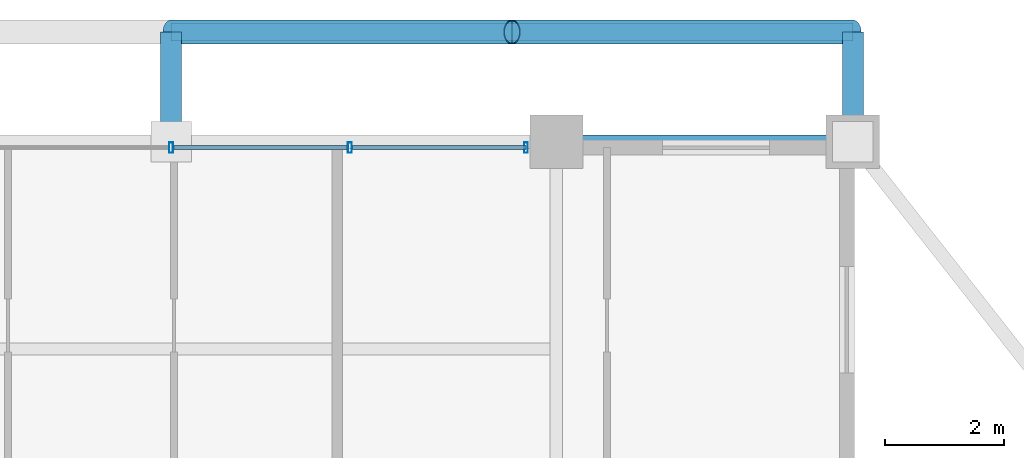
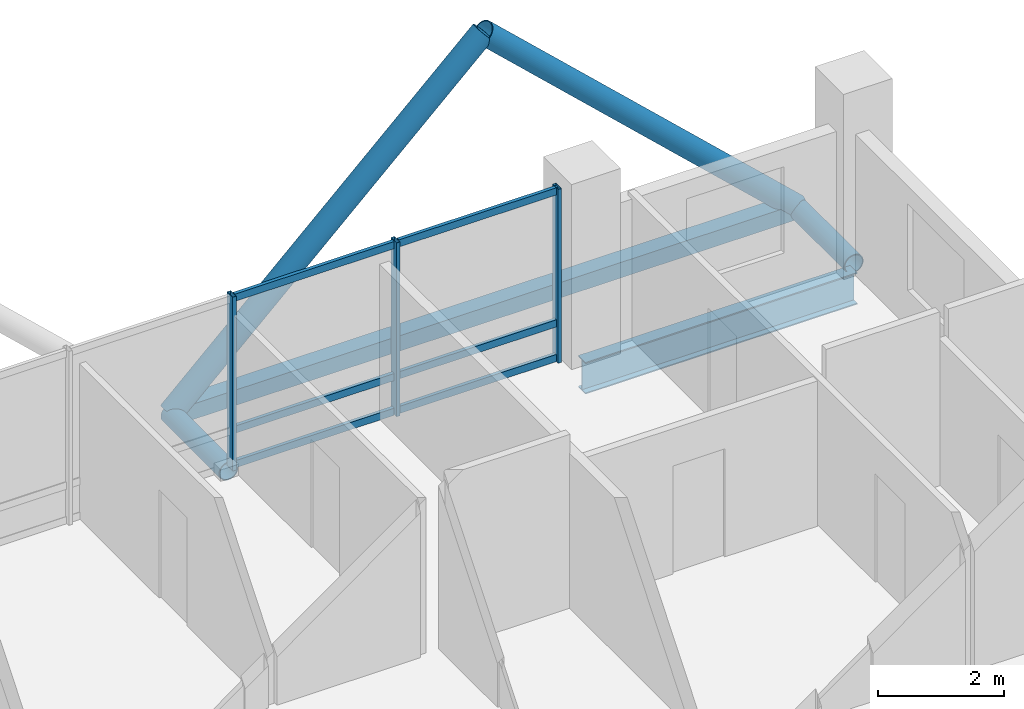
# One storey, part 17 of 24: 14 members, 1 beam, 1 element without a shape of its own.
"""IFC4 building model written with IfcOpenShell, lengths in metres."""

from ifc_helpers import new_model, si_unit, direction, frame, origin, origin_2d, place, context, subcontext, project, spatial, hollow_rectangle, hollow_circle, i_section, extrude, material, layer, layer_set, material_profile, profile_set, type_object, element, aggregate, save


model = new_model("IFC4")

# Units and contexts
model_context = context("Model", 3, precision=1e-05, world=origin(), true_north=direction((0.0, 1.0)))
body_context = subcontext(model_context, "Body", "Model", "MODEL_VIEW")
ifc_project = project(units=[si_unit("LENGTHUNIT", "METRE"), si_unit("AREAUNIT", "SQUARE_METRE"), si_unit("VOLUMEUNIT", "CUBIC_METRE"), si_unit("PLANEANGLEUNIT", "RADIAN"), si_unit("MASSUNIT", "GRAM", prefix="KILO")], contexts=[model_context])

# Site, building, storey
site_placement = place(None, origin())
site = spatial("IfcSite", under=ifc_project, at=site_placement, CompositionType="ELEMENT")
building_placement = place(site_placement, origin())
building = spatial("IfcBuilding", under=site, at=building_placement, Name="Barlavira Tower and Art Museum", CompositionType="ELEMENT")
storey_placement = place(building_placement, frame((0.0, 0.0, 240.300048828125)))
storey = spatial("IfcBuildingStorey", under=building, at=storey_placement, Name="L62", CompositionType="ELEMENT", Elevation=240.300048828125)

# Curtain wall, members
ifc_material_1 = material(Name="Low-iron coastal laminated glass", Category="glass")
ifc_layer = layer(ifc_material_1, 0.2099609375, Name="Low-iron coastal laminated glass")
ifc_layer_set = layer_set([ifc_layer], Name="Low-iron coastal laminated glass")
curtain_wall_type = type_object("IfcCurtainWallType", Name="Pale-Metal Unitised Curtain Wall Zone 4", PredefinedType="NOTDEFINED", material=ifc_layer_set)
curtain_wall_placement = place(storey_placement, origin())
curtain_wall = element("IfcCurtainWall", 1, at=curtain_wall_placement, inside=storey, type_object=curtain_wall_type, Name="L62 Curtain Wall CW4-L62-N-B2", PredefinedType="NOTDEFINED")
ifc_material_2 = material(Name="Pale anodised aluminium", Category="aluminium")
ifc_material_profile_1 = material_profile(ifc_material_2, hollow_rectangle(XDim=0.06494140625, YDim=0.179931640625, WallThickness=0.00390625, at=origin_2d()), Name="ALU-MULL 65x180x4")
ifc_profile_set_1 = profile_set([ifc_material_profile_1], Name="Pale anodised aluminium")
member_type_1 = type_object("IfcMemberType", Name="Curtain Wall Pale-Metal Mullion 65x180", PredefinedType="MULLION", material=ifc_profile_set_1)
member_1_placement = place(storey_placement, frame((5.985107421875, 19.89990234375, 0.0), z_axis=(0.0, 0.0, 1.0), x_axis=(-1.0, 0.0, 0.0)))
member_1 = element("IfcMember", 2, at=member_1_placement, type_object=member_type_1, Name="CW4-L62-N-B2 Mullion 0", PredefinedType="MULLION", context=body_context, shape_type="SweptSolid", body=[
    extrude(hollow_rectangle(XDim=0.06494140625, YDim=0.179931640625, WallThickness=0.00390625, at=origin_2d()), origin(), (0.0, 0.0, 1.0), 3.3798828125),
])
member_2_placement = place(storey_placement, frame((3.014892578125, 19.89990234375, 0.0), z_axis=(0.0, 0.0, 1.0), x_axis=(-1.0, 0.0, 0.0)))
member_2 = element("IfcMember", 3, at=member_2_placement, type_object=member_type_1, Name="CW4-L62-N-B2 Mullion 1", PredefinedType="MULLION", context=body_context, shape_type="SweptSolid", body=[
    extrude(hollow_rectangle(XDim=0.06494140625, YDim=0.179931640625, WallThickness=0.00390625, at=origin_2d()), origin(), (0.0, 0.0, 1.0), 3.3798828125),
])
member_3_placement = place(storey_placement, frame((0.0, 19.89990234375, 0.0), z_axis=(0.0, 0.0, 1.0), x_axis=(-1.0, 0.0, 0.0)))
member_3 = element("IfcMember", 4, at=member_3_placement, type_object=member_type_1, Name="CW4-L62-N-B2 Mullion 2", PredefinedType="MULLION", context=body_context, shape_type="SweptSolid", body=[
    extrude(hollow_rectangle(XDim=0.06494140625, YDim=0.179931640625, WallThickness=0.00390625, at=origin_2d()), origin(), (0.0, 0.0, 1.0), 3.3798828125),
])
ifc_material_profile_2 = material_profile(ifc_material_2, hollow_rectangle(XDim=0.06494140625, YDim=0.139892578125, WallThickness=0.00390625, at=origin_2d()), Name="ALU-TRAN 65x140x4")
ifc_profile_set_2 = profile_set([ifc_material_profile_2], Name="Pale anodised aluminium")
member_type_2 = type_object("IfcMemberType", Name="Curtain Wall Pale-Metal Transom 65x140", PredefinedType="USERDEFINED", material=ifc_profile_set_2)
member_4_placement = place(storey_placement, frame((5.985107421875, 19.89990234375, 0.070068359375), z_axis=(-1.0, 0.0, 0.0), x_axis=(0.0, -1.0, 0.0)))
member_4 = element("IfcMember", 5, at=member_4_placement, type_object=member_type_2, Name="CW4-L62-N-B2 Transom 0.1", ObjectType="TRANSOM", PredefinedType="USERDEFINED", context=body_context, shape_type="SweptSolid", body=[
    extrude(hollow_rectangle(XDim=0.06494140625, YDim=0.139892578125, WallThickness=0.00390625, at=origin_2d()), origin(), (0.0, 0.0, 1.0), 2.925048828125),
])
member_5_placement = place(storey_placement, frame((5.985107421875, 19.89990234375, 0.743896484375), z_axis=(-1.0, 0.0, 0.0), x_axis=(0.0, -1.0, 0.0)))
member_5 = element("IfcMember", 6, at=member_5_placement, type_object=member_type_2, Name="CW4-L62-N-B2 Transom 0.2", ObjectType="TRANSOM", PredefinedType="USERDEFINED", context=body_context, shape_type="SweptSolid", body=[
    extrude(hollow_rectangle(XDim=0.06494140625, YDim=0.139892578125, WallThickness=0.00390625, at=origin_2d()), origin(), (0.0, 0.0, 1.0), 2.925048828125),
])
member_6_placement = place(storey_placement, frame((5.985107421875, 19.89990234375, 3.31005859375), z_axis=(-1.0, 0.0, 0.0), x_axis=(0.0, -1.0, 0.0)))
member_6 = element("IfcMember", 7, at=member_6_placement, type_object=member_type_2, Name="CW4-L62-N-B2 Transom 0.3", ObjectType="TRANSOM", PredefinedType="USERDEFINED", context=body_context, shape_type="SweptSolid", body=[
    extrude(hollow_rectangle(XDim=0.06494140625, YDim=0.139892578125, WallThickness=0.00390625, at=origin_2d()), origin(), (0.0, 0.0, 1.0), 2.925048828125),
])
member_7_placement = place(storey_placement, frame((2.969970703125, 19.89990234375, 0.070068359375), z_axis=(-1.0, 0.0, 0.0), x_axis=(0.0, -1.0, 0.0)))
member_7 = element("IfcMember", 8, at=member_7_placement, type_object=member_type_2, Name="CW4-L62-N-B2 Transom 1.1", ObjectType="TRANSOM", PredefinedType="USERDEFINED", context=body_context, shape_type="SweptSolid", body=[
    extrude(hollow_rectangle(XDim=0.06494140625, YDim=0.139892578125, WallThickness=0.00390625, at=origin_2d()), origin(), (0.0, 0.0, 1.0), 2.925048828125),
])
member_8_placement = place(storey_placement, frame((2.969970703125, 19.89990234375, 0.743896484375), z_axis=(-1.0, 0.0, 0.0), x_axis=(0.0, -1.0, 0.0)))
member_8 = element("IfcMember", 9, at=member_8_placement, type_object=member_type_2, Name="CW4-L62-N-B2 Transom 1.2", ObjectType="TRANSOM", PredefinedType="USERDEFINED", context=body_context, shape_type="SweptSolid", body=[
    extrude(hollow_rectangle(XDim=0.06494140625, YDim=0.139892578125, WallThickness=0.00390625, at=origin_2d()), origin(), (0.0, 0.0, 1.0), 2.925048828125),
])
member_9_placement = place(storey_placement, frame((2.969970703125, 19.89990234375, 3.31005859375), z_axis=(-1.0, 0.0, 0.0), x_axis=(0.0, -1.0, 0.0)))
member_9 = element("IfcMember", 10, at=member_9_placement, type_object=member_type_2, Name="CW4-L62-N-B2 Transom 1.3", ObjectType="TRANSOM", PredefinedType="USERDEFINED", context=body_context, shape_type="SweptSolid", body=[
    extrude(hollow_rectangle(XDim=0.06494140625, YDim=0.139892578125, WallThickness=0.00390625, at=origin_2d()), origin(), (0.0, 0.0, 1.0), 2.925048828125),
])
aggregate(curtain_wall, [member_1, member_2, member_3, member_4, member_5, member_6, member_7, member_8, member_9])

# Members
ifc_material_3 = material(Name="Steel S355", Category="steel")
ifc_material_profile_3 = material_profile(ifc_material_3, hollow_circle(Radius=0.203125, WallThickness=0.01611328125, at=origin_2d()), Name="CHS 406.4x16.0")
ifc_profile_set_3 = profile_set([ifc_material_profile_3], Name="Steel S355")
member_type_3 = type_object("IfcMemberType", Name="Pale-Metal Exoskeleton Diagrid Tube CHS 406x16 Steel S355", PredefinedType="BRACE", material=ifc_profile_set_3)
for number, where, z_axis, x_axis, name in (
    (11, (0.0, 21.85009765625, -0.1201171875), (0.728934650808, 0.0, 0.684583285548), (0.0, 1.0, 0.0), "L62 Exoskeleton Diagrid Tube N"),
    (12, (11.5, 21.85009765625, -0.1201171875), (-0.728934650808, 0.0, 0.684583285548), (0.0, -1.0, 0.0), "L62 Exoskeleton Diagrid Tube N"),
):
    element("IfcMember", number, at=place(storey_placement, frame(where, z_axis=z_axis, x_axis=x_axis)), inside=storey, type_object=member_type_3, Name=name, PredefinedType="BRACE", context=body_context, shape_type="SweptSolid", body=[
        extrude(hollow_circle(Radius=0.203125, WallThickness=0.01611328125, at=origin_2d()), origin(), (0.0, 0.0, 1.0), 7.88818359375),
    ])
ifc_material_profile_4 = material_profile(ifc_material_3, hollow_circle(Radius=0.177734375, WallThickness=0.01611328125, at=origin_2d()), Name="CHS 355.6x16.0")
ifc_profile_set_4 = profile_set([ifc_material_profile_4], Name="Steel S355")
member_type_4 = type_object("IfcMemberType", Name="Pale-Metal Exoskeleton Tie Strut CHS 356x16 Steel S355", PredefinedType="STRUT", material=ifc_profile_set_4)
for number, where, z_axis, x_axis, name in (
    (13, (0.0, 21.85009765625, -0.1201171875), (0.0, -1.0, 0.0), (1.0, 0.0, 0.0), "L62 Exoskeleton Tie Strut N2"),
    (14, (11.5, 21.85009765625, -0.1201171875), (0.0, -1.0, 0.0), (1.0, 0.0, 0.0), "L62 Exoskeleton Tie Strut N3"),
):
    element("IfcMember", number, at=place(storey_placement, frame(where, z_axis=z_axis, x_axis=x_axis)), inside=storey, type_object=member_type_4, Name=name, PredefinedType="STRUT", context=body_context, shape_type="SweptSolid", body=[
        extrude(hollow_circle(Radius=0.177734375, WallThickness=0.01611328125, at=origin_2d()), origin(), (0.0, 0.0, 1.0), 1.85009765625),
    ])
ifc_material_profile_5 = material_profile(ifc_material_3, hollow_rectangle(XDim=0.300048828125, YDim=0.300048828125, WallThickness=0.01611328125, at=origin_2d()), Name="SHS 300x300x16.0")
ifc_profile_set_5 = profile_set([ifc_material_profile_5], Name="Steel S355")
member_type_5 = type_object("IfcMemberType", Name="Pale-Metal Upper Ring Strut SHS 300x300x16 Steel S355", PredefinedType="STRUT", material=ifc_profile_set_5)
member_10_placement = place(storey_placement, frame((0.0, 21.85009765625, -0.1201171875), z_axis=(1.0, 0.0, 0.0), x_axis=(0.0, 1.0, 0.0)))
element("IfcMember", 15, at=member_10_placement, inside=storey, type_object=member_type_5, Name="L62 Exoskeleton Ring Strut N", PredefinedType="STRUT", context=body_context, shape_type="SweptSolid", body=[
    extrude(hollow_rectangle(XDim=0.300048828125, YDim=0.300048828125, WallThickness=0.01611328125, at=origin_2d()), origin(), (0.0, 0.0, 1.0), 11.5),
])

# Beam
ifc_material_profile_6 = material_profile(ifc_material_3, i_section(OverallWidth=0.22998046875, OverallDepth=0.616943359375, WebThickness=0.01318359375, FlangeThickness=0.022216796875, at=origin_2d()), Name="W610x140.0")
ifc_profile_set_6 = profile_set([ifc_material_profile_6], Name="Steel S355")
beam_type = type_object("IfcBeamType", Name="Upper Shaft Spandrel Edge Beam W610x140 Steel S355", PredefinedType="SPANDREL", material=ifc_profile_set_6)
beam_placement = place(storey_placement, frame((6.5, 20.0, -0.528564453125), z_axis=(1.0, 0.0, 0.0), x_axis=(0.0, 1.0, 0.0)))
element("IfcBeam", 16, at=beam_placement, inside=storey, type_object=beam_type, Name="L62 Spandrel 9", PredefinedType="SPANDREL", context=body_context, shape_type="SweptSolid", body=[
    extrude(i_section(OverallWidth=0.22998046875, OverallDepth=0.616943359375, WebThickness=0.01318359375, FlangeThickness=0.022216796875, at=origin_2d()), origin(), (0.0, 0.0, 1.0), 5.0),
])

save(model, "model.ifc")
